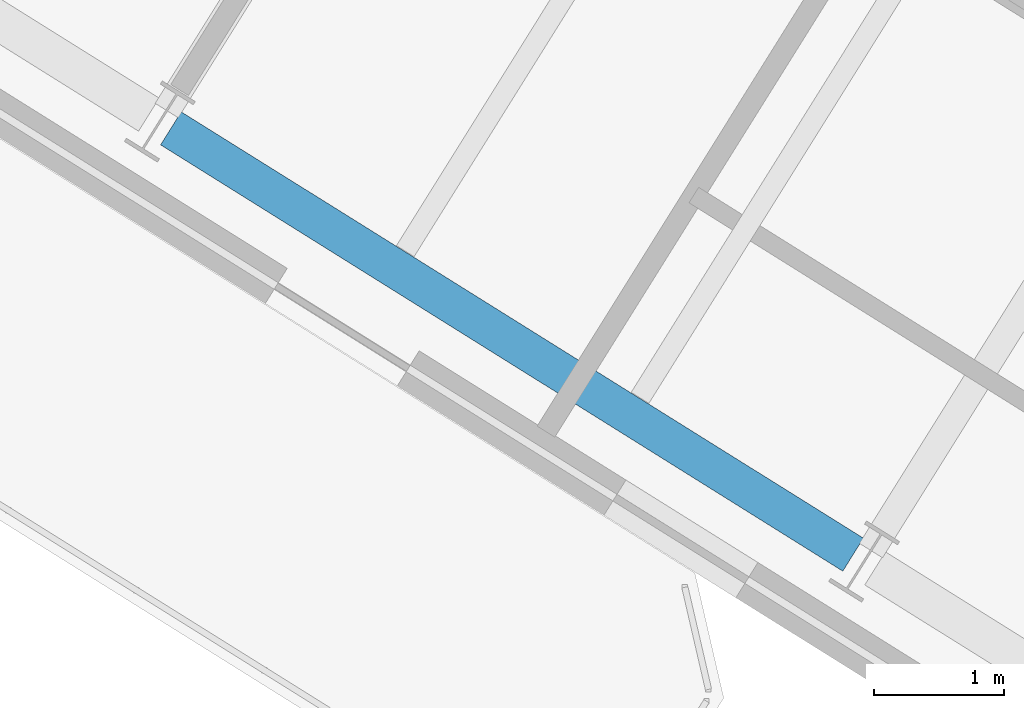
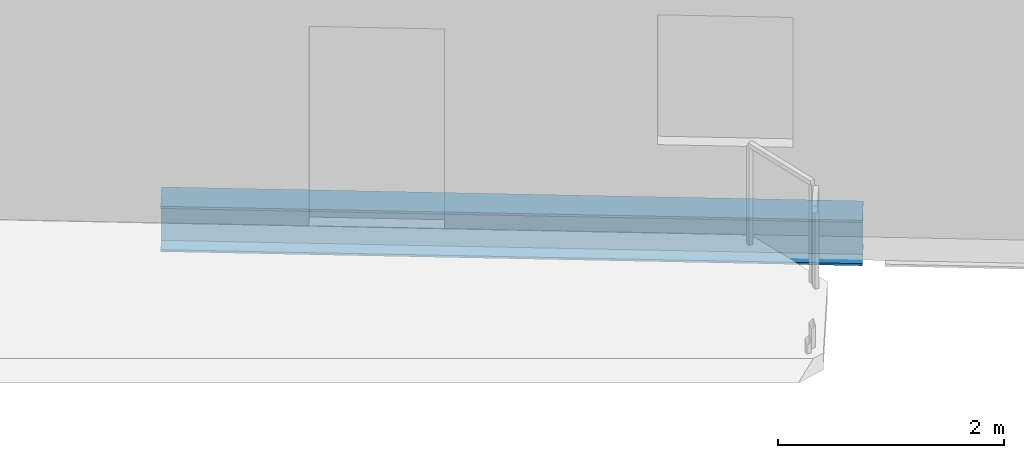
# One storey, part 5 of 29: 1 beam.
"""IFC4 building model written with IfcOpenShell, lengths in metres."""

from ifc_helpers import new_model, si_unit, direction, frame, origin, origin_2d, place, context, subcontext, project, spatial, i_section, extrude, source, transform, mapped, material, material_profile, profile_set, type_object, element, save


model = new_model("IFC4")

# Units and contexts
model_context = context("Model", 3, precision=1e-05, world=origin(), true_north=direction((0.0, 1.0)))
body_context = subcontext(model_context, "Body", "Model", "MODEL_VIEW")
ifc_project = project(units=[si_unit("LENGTHUNIT", "METRE"), si_unit("AREAUNIT", "SQUARE_METRE"), si_unit("VOLUMEUNIT", "CUBIC_METRE"), si_unit("PLANEANGLEUNIT", "RADIAN"), si_unit("MASSUNIT", "GRAM", prefix="KILO")], contexts=[model_context])

# Site, building, storey
site_placement = place(None, origin())
site = spatial("IfcSite", under=ifc_project, at=site_placement, CompositionType="ELEMENT")
building_placement = place(site_placement, origin())
building = spatial("IfcBuilding", under=site, at=building_placement, Name="Tlacorven Tower", CompositionType="ELEMENT")
storey_placement = place(building_placement, frame((0.0, 0.0, 165.89990234375)))
storey = spatial("IfcBuildingStorey", under=building, at=storey_placement, Name="L42", CompositionType="ELEMENT", Elevation=165.89990234375)

# Beam
ifc_material = material(Name="Steel S355J2", Category="steel")
ifc_material_profile = material_profile(ifc_material, i_section(OverallWidth=0.300048828125, OverallDepth=0.489990234375, WebThickness=0.011962890625, FlangeThickness=0.02294921875, at=origin_2d()), Name="HEA 500")
ifc_profile_set = profile_set([ifc_material_profile], Name="Steel S355J2")
beam_type = type_object("IfcBeamType", Name="BM-SPN-500", PredefinedType="SPANDREL", material=ifc_profile_set)
shared_shape = source(origin(), body_context, "Body", "SweptSolid", [
    extrude(i_section(OverallWidth=0.300048828125, OverallDepth=0.489990234375, WebThickness=0.011962890625, FlangeThickness=0.02294921875, at=origin_2d()), origin(), (0.0, 0.0, 1.0), 6.199951171875),
])
beam_placement = place(storey_placement, frame((18.82080078125, 13.6650390625, -0.494873046875), z_axis=(-0.848051394107, 0.529913986372, 0.0), x_axis=(-0.529913986372, -0.848051394107, 0.0)))
element("IfcBeam", 1, at=beam_placement, inside=storey, type_object=beam_type, Name="L42 beam BM-L42-WL4-3", PredefinedType="SPANDREL", context=body_context, shape_type="MappedRepresentation", body=[
    mapped(shared_shape, transform((0.0, 0.0, 0.0), scale=1.0)),
])

save(model, "model.ifc")
